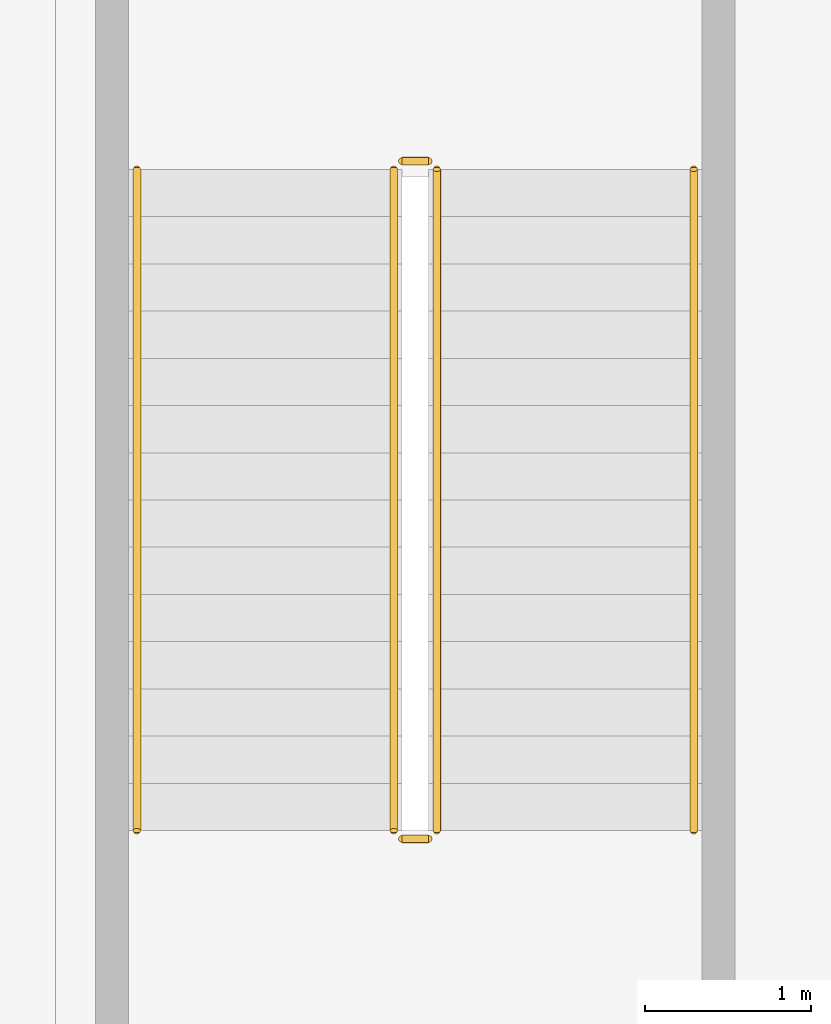
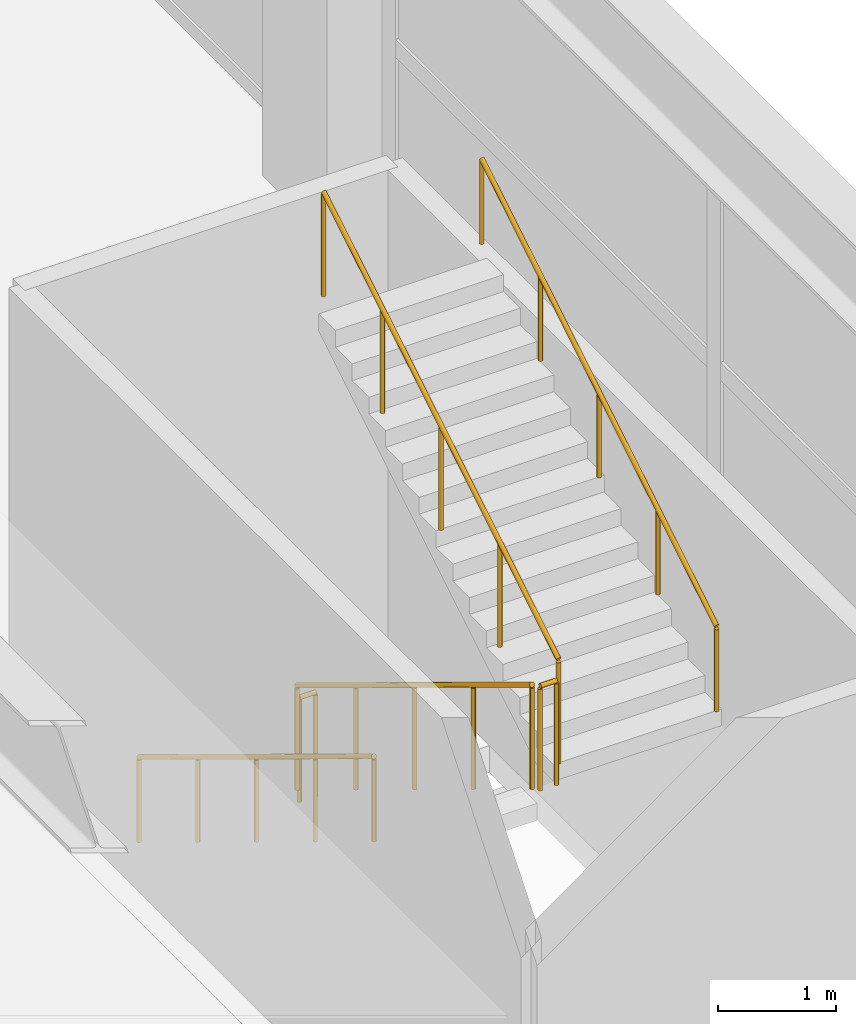
# One storey, part 45 of 45: 6 railings.
"""IFC4 building model written with IfcOpenShell, lengths in metres."""

from ifc_helpers import new_model, si_unit, direction, frame, origin, origin_2d, place, context, subcontext, project, spatial, circle, extrude, material, type_object, element, save


model = new_model("IFC4")

# Units and contexts
model_context = context("Model", 3, precision=1e-05, world=origin(), true_north=direction((0.0, 1.0)))
body_context = subcontext(model_context, "Body", "Model", "MODEL_VIEW")
ifc_project = project(units=[si_unit("LENGTHUNIT", "METRE"), si_unit("AREAUNIT", "SQUARE_METRE"), si_unit("VOLUMEUNIT", "CUBIC_METRE"), si_unit("PLANEANGLEUNIT", "RADIAN"), si_unit("MASSUNIT", "GRAM", prefix="KILO")], contexts=[model_context])

# Site, building, storey
site_placement = place(None, origin())
site = spatial("IfcSite", under=ifc_project, at=site_placement, CompositionType="ELEMENT")
building_placement = place(site_placement, origin())
building = spatial("IfcBuilding", under=site, at=building_placement, Name="Kovane Verandah Tower", CompositionType="ELEMENT")
storey_placement = place(building_placement, frame((0.0, 0.0, 6.0)))
storey = spatial("IfcBuildingStorey", under=building, at=storey_placement, Name="L01", CompositionType="ELEMENT", Elevation=6.0)

# Railings
ifc_material_1 = material(Name="Brushed Stainless Steel Handrail", Category="steel")
railing_type_1 = type_object("IfcRailingType", Name="RL-HAND-920", PredefinedType="HANDRAIL", material=ifc_material_1)
railing_1_placement = place(storey_placement, frame((75.489990234375, 28.820068359375, 0.17333984375)))
element("IfcRailing", 1, at=railing_1_placement, inside=storey, type_object=railing_type_1, Name="L01 ST-05 stair handrail 1", PredefinedType="HANDRAIL", context=body_context, shape_type="SweptSolid", body=[
    extrude(circle(Radius=0.02392578125, at=origin_2d()), frame((0.0, 0.0, 0.8759765625), z_axis=(0.0, -0.854382233033, 0.519645071061), x_axis=(1.0, 0.0, 0.0)), (0.0, 0.0, 1.0), 4.669921875),
    extrude(circle(Radius=0.02099609375, at=origin_2d()), origin(), (0.0, 0.0, 1.0), 0.851806640625),
    extrude(circle(Radius=0.02099609375, at=origin_2d()), frame((0.0, -0.99755859375, 0.606689453125)), (0.0, 0.0, 1.0), 0.851806640625),
    extrude(circle(Radius=0.02099609375, at=origin_2d()), frame((0.0, -1.9951171875, 1.21337890625)), (0.0, 0.0, 1.0), 0.851806640625),
    extrude(circle(Radius=0.02099609375, at=origin_2d()), frame((0.0, -2.992431640625, 1.820068359375)), (0.0, 0.0, 1.0), 0.851806640625),
    extrude(circle(Radius=0.02099609375, at=origin_2d()), frame((0.0, -3.989990234375, 2.4267578125)), (0.0, 0.0, 1.0), 0.851806640625),
])
railing_2_placement = place(storey_placement, frame((78.85009765625, 24.830078125, 2.7734375)))
element("IfcRailing", 2, at=railing_2_placement, inside=storey, type_object=railing_type_1, Name="L01 ST-05 stair handrail 2", PredefinedType="HANDRAIL", context=body_context, shape_type="SweptSolid", body=[
    extrude(circle(Radius=0.02392578125, at=origin_2d()), frame((0.0, 0.0, 0.8759765625), z_axis=(0.0, 0.854405443041, 0.519606908058), x_axis=(-1.0, 0.0, 0.0)), (0.0, 0.0, 1.0), 4.669921875),
    extrude(circle(Radius=0.02099609375, at=origin_2d()), origin(), (0.0, 0.0, 1.0), 0.851806640625),
    extrude(circle(Radius=0.02099609375, at=origin_2d()), frame((0.0, 0.99755859375, 0.606689453125)), (0.0, 0.0, 1.0), 0.851806640625),
    extrude(circle(Radius=0.02099609375, at=origin_2d()), frame((0.0, 1.9951171875, 1.21337890625)), (0.0, 0.0, 1.0), 0.851806640625),
    extrude(circle(Radius=0.02099609375, at=origin_2d()), frame((0.0, 2.992431640625, 1.81982421875)), (0.0, 0.0, 1.0), 0.851806640625),
    extrude(circle(Radius=0.02099609375, at=origin_2d()), frame((0.0, 3.989990234375, 2.426513671875)), (0.0, 0.0, 1.0), 0.851806640625),
])
ifc_material_2 = material(Name="Painted Steel Stairwell Guardrail", Category="steel")
railing_type_2 = type_object("IfcRailingType", Name="RL-STGUARD-1120", PredefinedType="GUARDRAIL", material=ifc_material_2)
railing_3_placement = place(storey_placement, frame((77.0400390625, 28.820068359375, 0.17333984375)))
element("IfcRailing", 3, at=railing_3_placement, inside=storey, type_object=railing_type_2, Name="L01 ST-05 stair guard 1", PredefinedType="GUARDRAIL", context=body_context, shape_type="SweptSolid", body=[
    extrude(circle(Radius=0.02392578125, at=origin_2d()), frame((0.0, 0.0, 1.076171875), z_axis=(0.0, -0.854382233033, 0.519645071061), x_axis=(1.0, 0.0, 0.0)), (0.0, 0.0, 1.0), 4.669921875),
    extrude(circle(Radius=0.02099609375, at=origin_2d()), origin(), (0.0, 0.0, 1.0), 1.052001953125),
    extrude(circle(Radius=0.02099609375, at=origin_2d()), frame((0.0, -0.99755859375, 0.606689453125)), (0.0, 0.0, 1.0), 1.052001953125),
    extrude(circle(Radius=0.02099609375, at=origin_2d()), frame((0.0, -1.9951171875, 1.21337890625)), (0.0, 0.0, 1.0), 1.052001953125),
    extrude(circle(Radius=0.02099609375, at=origin_2d()), frame((0.0, -2.992431640625, 1.820068359375)), (0.0, 0.0, 1.0), 1.052001953125),
    extrude(circle(Radius=0.02099609375, at=origin_2d()), frame((0.0, -3.989990234375, 2.4267578125)), (0.0, 0.0, 1.0), 1.052001953125),
])
railing_4_placement = place(storey_placement, frame((77.090087890625, 24.780029296875, 2.60009765625)))
element("IfcRailing", 4, at=railing_4_placement, inside=storey, type_object=railing_type_2, Name="L01 ST-05 stair guard 2", PredefinedType="GUARDRAIL", context=body_context, shape_type="SweptSolid", body=[
    extrude(circle(Radius=0.02392578125, at=origin_2d()), frame((0.0, 0.0, 1.076171875), z_axis=(1.0, 0.0, 0.0), x_axis=(0.0, 1.0, 0.0)), (0.0, 0.0, 1.0), 0.159912109375),
    extrude(circle(Radius=0.02099609375, at=origin_2d()), origin(), (0.0, 0.0, 1.0), 1.052001953125),
    extrude(circle(Radius=0.02099609375, at=origin_2d()), frame((0.159912109375, 0.0, 0.0)), (0.0, 0.0, 1.0), 1.052001953125),
])
railing_5_placement = place(storey_placement, frame((77.300048828125, 24.830078125, 2.7734375)))
element("IfcRailing", 5, at=railing_5_placement, inside=storey, type_object=railing_type_2, Name="L01 ST-05 stair guard 3", PredefinedType="GUARDRAIL", context=body_context, shape_type="SweptSolid", body=[
    extrude(circle(Radius=0.02392578125, at=origin_2d()), frame((0.0, 0.0, 1.076171875), z_axis=(0.0, 0.854405443041, 0.519606908058), x_axis=(-1.0, 0.0, 0.0)), (0.0, 0.0, 1.0), 4.669921875),
    extrude(circle(Radius=0.02099609375, at=origin_2d()), origin(), (0.0, 0.0, 1.0), 1.052001953125),
    extrude(circle(Radius=0.02099609375, at=origin_2d()), frame((0.0, 0.99755859375, 0.606689453125)), (0.0, 0.0, 1.0), 1.052001953125),
    extrude(circle(Radius=0.02099609375, at=origin_2d()), frame((0.0, 1.9951171875, 1.21337890625)), (0.0, 0.0, 1.0), 1.052001953125),
    extrude(circle(Radius=0.02099609375, at=origin_2d()), frame((0.0, 2.992431640625, 1.81982421875)), (0.0, 0.0, 1.0), 1.052001953125),
    extrude(circle(Radius=0.02099609375, at=origin_2d()), frame((0.0, 3.989990234375, 2.426513671875)), (0.0, 0.0, 1.0), 1.052001953125),
])
railing_6_placement = place(storey_placement, frame((77.090087890625, 28.8701171875, 0.0)))
element("IfcRailing", 6, at=railing_6_placement, inside=storey, type_object=railing_type_2, Name="L01 ST-05 stair guard 4", PredefinedType="GUARDRAIL", context=body_context, shape_type="SweptSolid", body=[
    extrude(circle(Radius=0.02392578125, at=origin_2d()), frame((0.0, 0.0, 1.076171875), z_axis=(1.0, 0.0, 0.0), x_axis=(0.0, 1.0, 0.0)), (0.0, 0.0, 1.0), 0.159912109375),
    extrude(circle(Radius=0.02099609375, at=origin_2d()), origin(), (0.0, 0.0, 1.0), 1.052001953125),
    extrude(circle(Radius=0.02099609375, at=origin_2d()), frame((0.159912109375, 0.0, 0.0)), (0.0, 0.0, 1.0), 1.052001953125),
])

save(model, "model.ifc")
